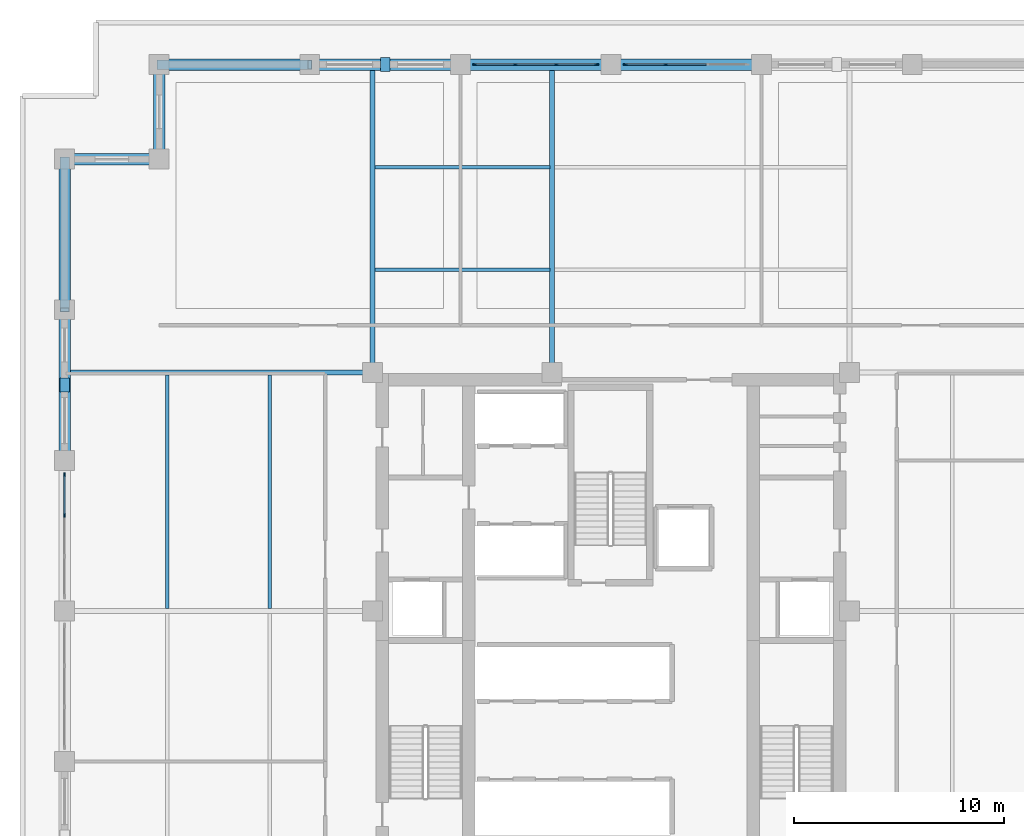
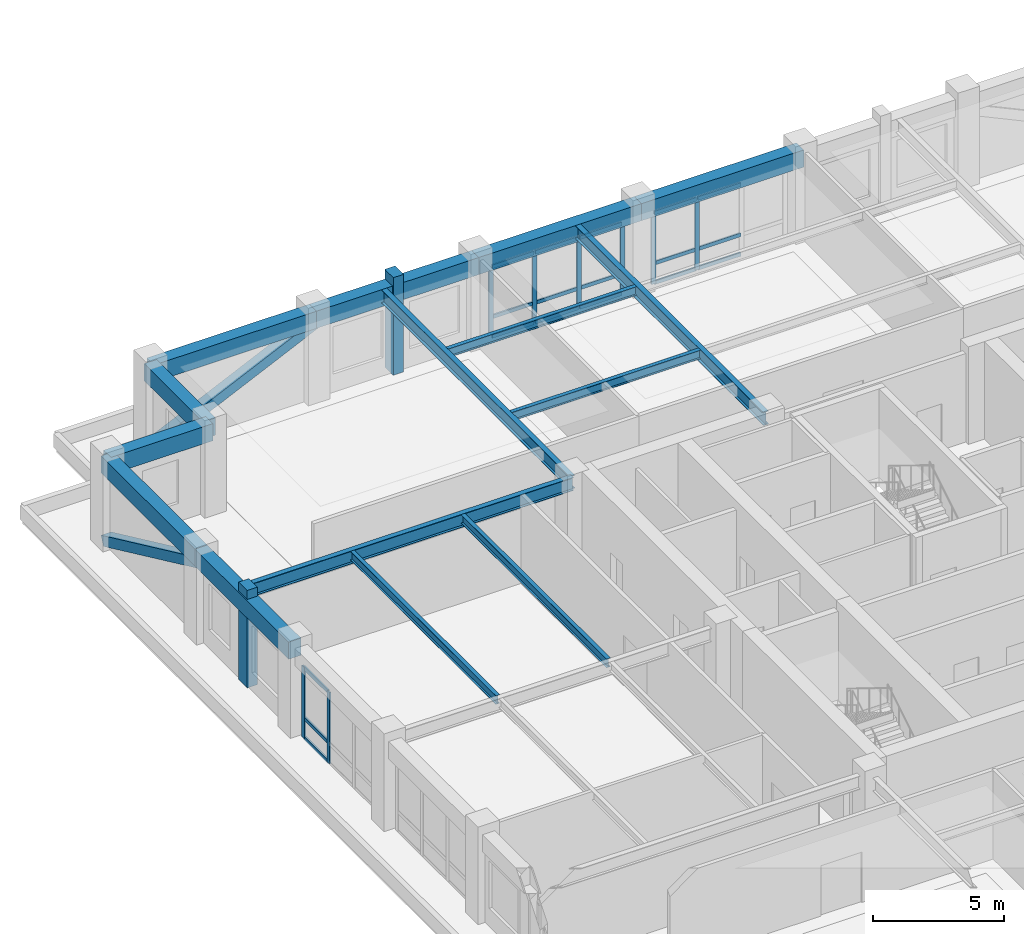
# One storey, part 5 of 16: 30 members, 15 beams, 3 elements without a shape of their own.
"""IFC4 building model written with IfcOpenShell, lengths in metres."""

from ifc_helpers import new_model, si_unit, direction, frame, origin, origin_2d, place, context, subcontext, project, spatial, rectangle, hollow_rectangle, i_section, extrude, material, layer, layer_set, material_profile, profile_set, type_object, element, aggregate, save


model = new_model("IFC4")

# Units and contexts
model_context = context("Model", 3, precision=1e-05, world=origin(), true_north=direction((0.0, 1.0)))
body_context = subcontext(model_context, "Body", "Model", "MODEL_VIEW")
ifc_project = project(units=[si_unit("LENGTHUNIT", "METRE"), si_unit("AREAUNIT", "SQUARE_METRE"), si_unit("VOLUMEUNIT", "CUBIC_METRE"), si_unit("PLANEANGLEUNIT", "RADIAN"), si_unit("MASSUNIT", "GRAM", prefix="KILO")], contexts=[model_context])

# Site, building, storey
site_placement = place(None, origin())
site = spatial("IfcSite", under=ifc_project, at=site_placement, CompositionType="ELEMENT")
building_placement = place(site_placement, origin())
building = spatial("IfcBuilding", under=site, at=building_placement, Name="Nhamokura Convention Tower", CompositionType="ELEMENT")
storey_placement = place(building_placement, frame((0.0, 0.0, 106.050048828125)))
storey = spatial("IfcBuildingStorey", under=building, at=storey_placement, Name="L25", CompositionType="ELEMENT", Elevation=106.050048828125)

# Members
ifc_material_1 = material(Name="Bronze-pigmented precast concrete C45/55", Category="concrete")
ifc_material_profile_1 = material_profile(ifc_material_1, rectangle(XDim=0.449951171875, YDim=0.64990234375, at=origin_2d()))
ifc_profile_set_1 = profile_set([ifc_material_profile_1], Name="Bronze-pigmented precast concrete C45/55")
member_type_1 = type_object("IfcMemberType", Name="BronzePilaster_650", PredefinedType="USERDEFINED", material=ifc_profile_set_1)
for number, where, z_axis, x_axis, name in (
    (1, (21.25, 58.0, 0.0), (0.0, 0.0, 1.0), (1.0, 0.0, 0.0), "L25 Engaged Frame Pilaster NORTH 1"),
    (2, (6.0, 42.75, 0.0), (0.0, 0.0, 1.0), (1.0, 0.0, 0.0), "L25 Engaged Frame Pilaster WEST 4"),
):
    element("IfcMember", number, at=place(storey_placement, frame(where, z_axis=z_axis, x_axis=x_axis)), inside=storey, type_object=member_type_1, Name=name, ObjectType="PILASTER_TRIM", PredefinedType="USERDEFINED", context=body_context, shape_type="SweptSolid", body=[
        extrude(rectangle(XDim=0.449951171875, YDim=0.64990234375, at=origin_2d()), origin(), (0.0, 0.0, 1.0), 4.550048828125),
    ])

# Curtain wall, members
ifc_material_2 = material(Name="Anodised bronze aluminium AA6063-T6", Category="aluminium")
ifc_layer = layer(ifc_material_2, 0.18994140625)
ifc_layer_set = layer_set([ifc_layer], Name="CWSystem_SkyLobby")
curtain_wall_type = type_object("IfcCurtainWallType", Name="CWSystem_SkyLobby", PredefinedType="NOTDEFINED", material=ifc_layer_set)
curtain_wall_1_placement = place(storey_placement, origin())
curtain_wall_1 = element("IfcCurtainWall", 3, at=curtain_wall_1_placement, inside=storey, type_object=curtain_wall_type, Name="L25 Curtain Wall ENV-L25-CW-N2", PredefinedType="NOTDEFINED")
ifc_material_3 = material(Name="Anodised bronze aluminium AA6063-T6", Category="aluminium")
ifc_material_profile_2 = material_profile(ifc_material_3, rectangle(XDim=0.074951171875, YDim=0.199951171875, at=origin_2d()))
ifc_profile_set_2 = profile_set([ifc_material_profile_2], Name="Anodised bronze aluminium AA6063-T6")
member_type_2 = type_object("IfcMemberType", Name="CWMullion_2", PredefinedType="MULLION", material=ifc_profile_set_2)
member_1_placement = place(storey_placement, frame((25.520751953125, 58.0, 0.0), z_axis=(0.0, 0.0, 1.0), x_axis=(0.0, 1.0, 0.0)))
member_1 = element("IfcMember", 4, at=member_1_placement, type_object=member_type_2, Name="CW-06 mullion 1", PredefinedType="MULLION", context=body_context, shape_type="SweptSolid", body=[
    extrude(rectangle(XDim=0.074951171875, YDim=0.199951171875, at=origin_2d()), origin(), (0.0, 0.0, 1.0), 3.329833984375),
])
member_2_placement = place(storey_placement, frame((27.43896484375, 58.0, 0.0), z_axis=(0.0, 0.0, 1.0), x_axis=(0.0, 1.0, 0.0)))
member_2 = element("IfcMember", 5, at=member_2_placement, type_object=member_type_2, Name="CW-06 mullion 2", PredefinedType="MULLION", context=body_context, shape_type="SweptSolid", body=[
    extrude(rectangle(XDim=0.074951171875, YDim=0.199951171875, at=origin_2d()), origin(), (0.0, 0.0, 1.0), 3.329833984375),
])
member_3_placement = place(storey_placement, frame((29.39453125, 58.0, 0.0), z_axis=(0.0, 0.0, 1.0), x_axis=(0.0, 1.0, 0.0)))
member_3 = element("IfcMember", 6, at=member_3_placement, type_object=member_type_2, Name="CW-06 mullion 3", PredefinedType="MULLION", context=body_context, shape_type="SweptSolid", body=[
    extrude(rectangle(XDim=0.074951171875, YDim=0.199951171875, at=origin_2d()), origin(), (0.0, 0.0, 1.0), 3.329833984375),
])
member_4_placement = place(storey_placement, frame((31.3125, 58.0, 0.0), z_axis=(0.0, 0.0, 1.0), x_axis=(0.0, 1.0, 0.0)))
member_4 = element("IfcMember", 7, at=member_4_placement, type_object=member_type_2, Name="CW-06 mullion 4", PredefinedType="MULLION", context=body_context, shape_type="SweptSolid", body=[
    extrude(rectangle(XDim=0.074951171875, YDim=0.199951171875, at=origin_2d()), origin(), (0.0, 0.0, 1.0), 3.329833984375),
])

curtain_wall_2_placement = place(storey_placement, origin())
curtain_wall_2 = element("IfcCurtainWall", 8, at=curtain_wall_2_placement, inside=storey, type_object=curtain_wall_type, Name="L25 Curtain Wall ENV-L25-CW-N3", PredefinedType="NOTDEFINED")
member_5_placement = place(storey_placement, frame((32.6875, 58.0, 0.0), z_axis=(0.0, 0.0, 1.0), x_axis=(0.0, 1.0, 0.0)))
member_5 = element("IfcMember", 9, at=member_5_placement, type_object=member_type_2, Name="CW-06 mullion 1", PredefinedType="MULLION", context=body_context, shape_type="SweptSolid", body=[
    extrude(rectangle(XDim=0.074951171875, YDim=0.199951171875, at=origin_2d()), origin(), (0.0, 0.0, 1.0), 3.329833984375),
])
member_6_placement = place(storey_placement, frame((34.60546875, 58.0, 0.0), z_axis=(0.0, 0.0, 1.0), x_axis=(0.0, 1.0, 0.0)))
member_6 = element("IfcMember", 10, at=member_6_placement, type_object=member_type_2, Name="CW-06 mullion 2", PredefinedType="MULLION", context=body_context, shape_type="SweptSolid", body=[
    extrude(rectangle(XDim=0.074951171875, YDim=0.199951171875, at=origin_2d()), origin(), (0.0, 0.0, 1.0), 3.329833984375),
])

curtain_wall_3_placement = place(storey_placement, origin())
curtain_wall_3 = element("IfcCurtainWall", 11, at=curtain_wall_3_placement, inside=storey, type_object=curtain_wall_type, Name="L25 Curtain Wall ENV-L25-CW-W3", PredefinedType="NOTDEFINED")
member_7_placement = place(storey_placement, frame((6.0, 36.56103515625, 0.0), z_axis=(0.0, 0.0, 1.0), x_axis=(-1.0, 0.0, 0.0)))
member_7 = element("IfcMember", 12, at=member_7_placement, type_object=member_type_2, Name="CW-06 mullion 3", PredefinedType="MULLION", context=body_context, shape_type="SweptSolid", body=[
    extrude(rectangle(XDim=0.074951171875, YDim=0.199951171875, at=origin_2d()), origin(), (0.0, 0.0, 1.0), 3.329833984375),
])
member_8_placement = place(storey_placement, frame((6.0, 38.479248046875, 0.0), z_axis=(0.0, 0.0, 1.0), x_axis=(-1.0, 0.0, 0.0)))
member_8 = element("IfcMember", 13, at=member_8_placement, type_object=member_type_2, Name="CW-06 mullion 4", PredefinedType="MULLION", context=body_context, shape_type="SweptSolid", body=[
    extrude(rectangle(XDim=0.074951171875, YDim=0.199951171875, at=origin_2d()), origin(), (0.0, 0.0, 1.0), 3.329833984375),
])

# Member
ifc_material_4 = material(Name="Anodised bronze aluminium AA6063-T6", Category="aluminium")
ifc_material_profile_3 = material_profile(ifc_material_4, rectangle(XDim=0.074951171875, YDim=0.169921875, at=origin_2d()))
ifc_profile_set_3 = profile_set([ifc_material_profile_3], Name="Anodised bronze aluminium AA6063-T6")
member_type_3 = type_object("IfcMemberType", Name="CWTransom_2", PredefinedType="USERDEFINED", material=ifc_profile_set_3)
member_9_placement = place(storey_placement, frame((25.558349609375, 58.0, 0.037353515625), z_axis=(1.0, 0.0, 0.0), x_axis=(0.0, 1.0, 0.0)))
member_9 = element("IfcMember", 14, at=member_9_placement, type_object=member_type_3, Name="CW-06 transom 1.1", ObjectType="TRANSOM", PredefinedType="USERDEFINED", context=body_context, shape_type="SweptSolid", body=[
    extrude(rectangle(XDim=0.074951171875, YDim=0.169921875, at=origin_2d()), origin(), (0.0, 0.0, 1.0), 1.843017578125),
])

member_10_placement = place(storey_placement, frame((25.558349609375, 58.0, 0.949951171875), z_axis=(1.0, 0.0, 0.0), x_axis=(0.0, 1.0, 0.0)))
member_10 = element("IfcMember", 15, at=member_10_placement, type_object=member_type_3, Name="CW-06 transom 1.2", ObjectType="TRANSOM", PredefinedType="USERDEFINED", context=body_context, shape_type="SweptSolid", body=[
    extrude(rectangle(XDim=0.074951171875, YDim=0.169921875, at=origin_2d()), origin(), (0.0, 0.0, 1.0), 1.843017578125),
])

member_11_placement = place(storey_placement, frame((25.558349609375, 58.0, 3.29248046875), z_axis=(1.0, 0.0, 0.0), x_axis=(0.0, 1.0, 0.0)))
member_11 = element("IfcMember", 16, at=member_11_placement, type_object=member_type_3, Name="CW-06 transom 1.3", ObjectType="TRANSOM", PredefinedType="USERDEFINED", context=body_context, shape_type="SweptSolid", body=[
    extrude(rectangle(XDim=0.074951171875, YDim=0.169921875, at=origin_2d()), origin(), (0.0, 0.0, 1.0), 1.843017578125),
])

member_12_placement = place(storey_placement, frame((27.476318359375, 58.0, 0.037353515625), z_axis=(1.0, 0.0, 0.0), x_axis=(0.0, 1.0, 0.0)))
member_12 = element("IfcMember", 17, at=member_12_placement, type_object=member_type_3, Name="CW-06 transom 2.1", ObjectType="TRANSOM", PredefinedType="USERDEFINED", context=body_context, shape_type="SweptSolid", body=[
    extrude(rectangle(XDim=0.074951171875, YDim=0.169921875, at=origin_2d()), origin(), (0.0, 0.0, 1.0), 1.880615234375),
])

member_13_placement = place(storey_placement, frame((27.476318359375, 58.0, 0.949951171875), z_axis=(1.0, 0.0, 0.0), x_axis=(0.0, 1.0, 0.0)))
member_13 = element("IfcMember", 18, at=member_13_placement, type_object=member_type_3, Name="CW-06 transom 2.2", ObjectType="TRANSOM", PredefinedType="USERDEFINED", context=body_context, shape_type="SweptSolid", body=[
    extrude(rectangle(XDim=0.074951171875, YDim=0.169921875, at=origin_2d()), origin(), (0.0, 0.0, 1.0), 1.880615234375),
])

member_14_placement = place(storey_placement, frame((27.476318359375, 58.0, 3.29248046875), z_axis=(1.0, 0.0, 0.0), x_axis=(0.0, 1.0, 0.0)))
member_14 = element("IfcMember", 19, at=member_14_placement, type_object=member_type_3, Name="CW-06 transom 2.3", ObjectType="TRANSOM", PredefinedType="USERDEFINED", context=body_context, shape_type="SweptSolid", body=[
    extrude(rectangle(XDim=0.074951171875, YDim=0.169921875, at=origin_2d()), origin(), (0.0, 0.0, 1.0), 1.880615234375),
])

member_15_placement = place(storey_placement, frame((29.431884765625, 58.0, 0.037353515625), z_axis=(1.0, 0.0, 0.0), x_axis=(0.0, 1.0, 0.0)))
member_15 = element("IfcMember", 20, at=member_15_placement, type_object=member_type_3, Name="CW-06 transom 3.1", ObjectType="TRANSOM", PredefinedType="USERDEFINED", context=body_context, shape_type="SweptSolid", body=[
    extrude(rectangle(XDim=0.074951171875, YDim=0.169921875, at=origin_2d()), origin(), (0.0, 0.0, 1.0), 1.843017578125),
])

member_16_placement = place(storey_placement, frame((29.431884765625, 58.0, 0.949951171875), z_axis=(1.0, 0.0, 0.0), x_axis=(0.0, 1.0, 0.0)))
member_16 = element("IfcMember", 21, at=member_16_placement, type_object=member_type_3, Name="CW-06 transom 3.2", ObjectType="TRANSOM", PredefinedType="USERDEFINED", context=body_context, shape_type="SweptSolid", body=[
    extrude(rectangle(XDim=0.074951171875, YDim=0.169921875, at=origin_2d()), origin(), (0.0, 0.0, 1.0), 1.843017578125),
])

member_17_placement = place(storey_placement, frame((29.431884765625, 58.0, 3.29248046875), z_axis=(1.0, 0.0, 0.0), x_axis=(0.0, 1.0, 0.0)))
member_17 = element("IfcMember", 22, at=member_17_placement, type_object=member_type_3, Name="CW-06 transom 3.3", ObjectType="TRANSOM", PredefinedType="USERDEFINED", context=body_context, shape_type="SweptSolid", body=[
    extrude(rectangle(XDim=0.074951171875, YDim=0.169921875, at=origin_2d()), origin(), (0.0, 0.0, 1.0), 1.843017578125),
])

aggregate(curtain_wall_1, [member_1, member_2, member_3, member_4, member_9, member_10, member_11, member_12, member_13, member_14, member_15, member_16, member_17])

member_18_placement = place(storey_placement, frame((32.72509765625, 58.0, 0.037353515625), z_axis=(1.0, 0.0, 0.0), x_axis=(0.0, 1.0, 0.0)))
member_18 = element("IfcMember", 23, at=member_18_placement, type_object=member_type_3, Name="CW-06 transom 1.1", ObjectType="TRANSOM", PredefinedType="USERDEFINED", context=body_context, shape_type="SweptSolid", body=[
    extrude(rectangle(XDim=0.074951171875, YDim=0.169921875, at=origin_2d()), origin(), (0.0, 0.0, 1.0), 1.843017578125),
])

member_19_placement = place(storey_placement, frame((32.72509765625, 58.0, 0.949951171875), z_axis=(1.0, 0.0, 0.0), x_axis=(0.0, 1.0, 0.0)))
member_19 = element("IfcMember", 24, at=member_19_placement, type_object=member_type_3, Name="CW-06 transom 1.2", ObjectType="TRANSOM", PredefinedType="USERDEFINED", context=body_context, shape_type="SweptSolid", body=[
    extrude(rectangle(XDim=0.074951171875, YDim=0.169921875, at=origin_2d()), origin(), (0.0, 0.0, 1.0), 1.843017578125),
])

member_20_placement = place(storey_placement, frame((32.72509765625, 58.0, 3.29248046875), z_axis=(1.0, 0.0, 0.0), x_axis=(0.0, 1.0, 0.0)))
member_20 = element("IfcMember", 25, at=member_20_placement, type_object=member_type_3, Name="CW-06 transom 1.3", ObjectType="TRANSOM", PredefinedType="USERDEFINED", context=body_context, shape_type="SweptSolid", body=[
    extrude(rectangle(XDim=0.074951171875, YDim=0.169921875, at=origin_2d()), origin(), (0.0, 0.0, 1.0), 1.843017578125),
])

member_21_placement = place(storey_placement, frame((34.64306640625, 58.0, 0.037353515625), z_axis=(1.0, 0.0, 0.0), x_axis=(0.0, 1.0, 0.0)))
member_21 = element("IfcMember", 26, at=member_21_placement, type_object=member_type_3, Name="CW-06 transom 2.1", ObjectType="TRANSOM", PredefinedType="USERDEFINED", context=body_context, shape_type="SweptSolid", body=[
    extrude(rectangle(XDim=0.074951171875, YDim=0.169921875, at=origin_2d()), origin(), (0.0, 0.0, 1.0), 1.880615234375),
])

member_22_placement = place(storey_placement, frame((34.64306640625, 58.0, 0.949951171875), z_axis=(1.0, 0.0, 0.0), x_axis=(0.0, 1.0, 0.0)))
member_22 = element("IfcMember", 27, at=member_22_placement, type_object=member_type_3, Name="CW-06 transom 2.2", ObjectType="TRANSOM", PredefinedType="USERDEFINED", context=body_context, shape_type="SweptSolid", body=[
    extrude(rectangle(XDim=0.074951171875, YDim=0.169921875, at=origin_2d()), origin(), (0.0, 0.0, 1.0), 1.880615234375),
])

member_23_placement = place(storey_placement, frame((34.64306640625, 58.0, 3.29248046875), z_axis=(1.0, 0.0, 0.0), x_axis=(0.0, 1.0, 0.0)))
member_23 = element("IfcMember", 28, at=member_23_placement, type_object=member_type_3, Name="CW-06 transom 2.3", ObjectType="TRANSOM", PredefinedType="USERDEFINED", context=body_context, shape_type="SweptSolid", body=[
    extrude(rectangle(XDim=0.074951171875, YDim=0.169921875, at=origin_2d()), origin(), (0.0, 0.0, 1.0), 1.880615234375),
])

aggregate(curtain_wall_2, [member_5, member_6, member_18, member_19, member_20, member_21, member_22, member_23])

member_24_placement = place(storey_placement, frame((6.0, 36.5986328125, 0.037353515625), z_axis=(0.0, 1.0, 0.0), x_axis=(-1.0, 0.0, 0.0)))
member_24 = element("IfcMember", 29, at=member_24_placement, type_object=member_type_3, Name="CW-06 transom 3.1", ObjectType="TRANSOM", PredefinedType="USERDEFINED", context=body_context, shape_type="SweptSolid", body=[
    extrude(rectangle(XDim=0.074951171875, YDim=0.169921875, at=origin_2d()), origin(), (0.0, 0.0, 1.0), 1.843017578125),
])

member_25_placement = place(storey_placement, frame((6.0, 36.5986328125, 0.949951171875), z_axis=(0.0, 1.0, 0.0), x_axis=(-1.0, 0.0, 0.0)))
member_25 = element("IfcMember", 30, at=member_25_placement, type_object=member_type_3, Name="CW-06 transom 3.2", ObjectType="TRANSOM", PredefinedType="USERDEFINED", context=body_context, shape_type="SweptSolid", body=[
    extrude(rectangle(XDim=0.074951171875, YDim=0.169921875, at=origin_2d()), origin(), (0.0, 0.0, 1.0), 1.843017578125),
])

member_26_placement = place(storey_placement, frame((6.0, 36.5986328125, 3.29248046875), z_axis=(0.0, 1.0, 0.0), x_axis=(-1.0, 0.0, 0.0)))
member_26 = element("IfcMember", 31, at=member_26_placement, type_object=member_type_3, Name="CW-06 transom 3.3", ObjectType="TRANSOM", PredefinedType="USERDEFINED", context=body_context, shape_type="SweptSolid", body=[
    extrude(rectangle(XDim=0.074951171875, YDim=0.169921875, at=origin_2d()), origin(), (0.0, 0.0, 1.0), 1.843017578125),
])

aggregate(curtain_wall_3, [member_7, member_8, member_24, member_25, member_26])

# Beams
ifc_material_5 = material(Name="Steel ASTM A992 Gr 50", Category="steel")
ifc_material_profile_4 = material_profile(ifc_material_5, i_section(OverallWidth=0.177001953125, OverallDepth=0.403076171875, WebThickness=0.007568359375, FlangeThickness=0.010986328125, at=origin_2d()))
ifc_profile_set_4 = profile_set([ifc_material_profile_4], Name="Steel ASTM A992 Gr 50")
beam_type_1 = type_object("IfcBeamType", Name="FloorJoist_W410X53", PredefinedType="JOIST", material=ifc_profile_set_4)
for number, where, z_axis, x_axis, name in (
    (32, (20.762939453125, 48.2333984375, 3.928466796875), (1.0, 0.0, 0.0), (0.0, 1.0, 0.0), "L25 Composite Floor Joist N1A"),
    (33, (20.762939453125, 53.11669921875, 3.928466796875), (1.0, 0.0, 0.0), (0.0, 1.0, 0.0), "L25 Composite Floor Joist N2A"),
):
    element("IfcBeam", number, at=place(storey_placement, frame(where, z_axis=z_axis, x_axis=x_axis)), inside=storey, type_object=beam_type_1, Name=name, PredefinedType="JOIST", context=body_context, shape_type="SweptSolid", body=[
        extrude(i_section(OverallWidth=0.177001953125, OverallDepth=0.403076171875, WebThickness=0.007568359375, FlangeThickness=0.010986328125, at=origin_2d()), origin(), (0.0, 0.0, 1.0), 8.323974609375),
    ])
for number, where, z_axis, x_axis, name in (
    (34, (10.88330078125, 32.113037109375, 3.928466796875), (0.0, 1.0, 0.0), (-1.0, 0.0, 0.0), "L25 Composite Floor Joist W1B"),
    (35, (15.7666015625, 32.113037109375, 3.928466796875), (0.0, 1.0, 0.0), (-1.0, 0.0, 0.0), "L25 Composite Floor Joist W2B"),
):
    element("IfcBeam", number, at=place(storey_placement, frame(where, z_axis=z_axis, x_axis=x_axis)), inside=storey, type_object=beam_type_1, Name=name, PredefinedType="JOIST", context=body_context, shape_type="SweptSolid", body=[
        extrude(i_section(OverallWidth=0.177001953125, OverallDepth=0.403076171875, WebThickness=0.007568359375, FlangeThickness=0.010986328125, at=origin_2d()), origin(), (0.0, 0.0, 1.0), 11.1240234375),
    ])
ifc_material_6 = material(Name="Steel ASTM A992 Gr 50", Category="steel")
ifc_material_profile_5 = material_profile(ifc_material_6, i_section(OverallWidth=0.22998046875, OverallDepth=0.616943359375, WebThickness=0.01318359375, FlangeThickness=0.022216796875, at=origin_2d()))
ifc_profile_set_5 = profile_set([ifc_material_profile_5], Name="Steel ASTM A992 Gr 50")
beam_type_2 = type_object("IfcBeamType", Name="PrimaryGirder_W610X140", PredefinedType="BEAM", material=ifc_profile_set_5)
for number, where, z_axis, x_axis, name in (
    (36, (20.64990234375, 43.35009765625, 3.821533203125), (0.0, 1.0, 0.0), (-1.0, 0.0, 0.0), "L25 Primary Floor Girder PG-N1"),
    (37, (29.199951171875, 43.35009765625, 3.821533203125), (0.0, 1.0, 0.0), (-1.0, 0.0, 0.0), "L25 Primary Floor Girder PG-N2"),
    (38, (6.0, 43.35009765625, 3.821533203125), (1.0, 0.0, 0.0), (0.0, 1.0, 0.0), "L25 Primary Floor Girder PG-W3"),
):
    element("IfcBeam", number, at=place(storey_placement, frame(where, z_axis=z_axis, x_axis=x_axis)), inside=storey, type_object=beam_type_2, Name=name, PredefinedType="BEAM", context=body_context, shape_type="SweptSolid", body=[
        extrude(i_section(OverallWidth=0.22998046875, OverallDepth=0.616943359375, WebThickness=0.01318359375, FlangeThickness=0.022216796875, at=origin_2d()), origin(), (0.0, 0.0, 1.0), 14.64990234375),
    ])

# Members
ifc_material_7 = material(Name="Steel ASTM A572 Gr 50", Category="steel")
ifc_material_profile_6 = material_profile(ifc_material_7, hollow_rectangle(XDim=0.449951171875, YDim=0.449951171875, WallThickness=0.02197265625, at=origin_2d()))
ifc_profile_set_6 = profile_set([ifc_material_profile_6], Name="Steel ASTM A572 Gr 50")
member_type_4 = type_object("IfcMemberType", Name="TubeBrace_HSS450", PredefinedType="BRACE", material=ifc_profile_set_6)
for number, where, z_axis, x_axis, name in (
    (39, (10.5, 58.0, 0.14990234375), (0.906880391441, 0.0, 0.421388129424), (0.0, 1.0, 0.0), "L25 Perimeter Tube Brace NORTH Bay 0"),
    (40, (6.0, 53.5, 0.14990234375), (0.0, -0.906880391441, 0.421388129424), (1.0, 0.0, 0.0), "L25 Perimeter Tube Brace WEST Bay 5"),
):
    element("IfcMember", number, at=place(storey_placement, frame(where, z_axis=z_axis, x_axis=x_axis)), inside=storey, type_object=member_type_4, Name=name, PredefinedType="BRACE", context=body_context, shape_type="SweptSolid", body=[
        extrude(hollow_rectangle(XDim=0.449951171875, YDim=0.449951171875, WallThickness=0.02197265625, at=origin_2d()), origin(), (0.0, 0.0, 1.0), 7.902587890625),
    ])

# Beams
ifc_material_8 = material(Name="Concrete C50/60", Category="concrete")
ifc_material_profile_7 = material_profile(ifc_material_8, rectangle(XDim=0.550048828125, YDim=0.800048828125, at=origin_2d()))
ifc_profile_set_7 = profile_set([ifc_material_profile_7], Name="Concrete C50/60")
beam_type_3 = type_object("IfcBeamType", Name="TubeSpandrel_800", PredefinedType="SPANDREL", material=ifc_profile_set_7)
beam_1_placement = place(storey_placement, frame((10.5, 58.0, 3.72998046875), z_axis=(1.0, 0.0, 0.0), x_axis=(0.0, 1.0, 0.0)))
element("IfcBeam", 41, at=beam_1_placement, inside=storey, type_object=beam_type_3, Name="L25 Perimeter Spandrel NORTH 1", PredefinedType="SPANDREL", context=body_context, shape_type="SweptSolid", body=[
    extrude(rectangle(XDim=0.550048828125, YDim=0.800048828125, at=origin_2d()), origin(), (0.0, 0.0, 1.0), 7.166748046875),
])
beam_2_placement = place(storey_placement, frame((17.666748046875, 58.0, 3.72998046875), z_axis=(1.0, 0.0, 0.0), x_axis=(0.0, 1.0, 0.0)))
element("IfcBeam", 42, at=beam_2_placement, inside=storey, type_object=beam_type_3, Name="L25 Perimeter Spandrel NORTH 2", PredefinedType="SPANDREL", context=body_context, shape_type="SweptSolid", body=[
    extrude(rectangle(XDim=0.550048828125, YDim=0.800048828125, at=origin_2d()), origin(), (0.0, 0.0, 1.0), 7.16650390625),
])
for number, where, z_axis, x_axis, name in (
    (43, (24.833251953125, 58.0, 3.72998046875), (1.0, 0.0, 0.0), (0.0, 1.0, 0.0), "L25 Perimeter Spandrel NORTH 3"),
    (44, (32.0, 58.0, 3.72998046875), (1.0, 0.0, 0.0), (0.0, 1.0, 0.0), "L25 Perimeter Spandrel NORTH 4"),
):
    element("IfcBeam", number, at=place(storey_placement, frame(where, z_axis=z_axis, x_axis=x_axis)), inside=storey, type_object=beam_type_3, Name=name, PredefinedType="SPANDREL", context=body_context, shape_type="SweptSolid", body=[
        extrude(rectangle(XDim=0.550048828125, YDim=0.800048828125, at=origin_2d()), origin(), (0.0, 0.0, 1.0), 7.166748046875),
    ])
beam_3_placement = place(storey_placement, frame((6.0, 39.166748046875, 3.72998046875), z_axis=(0.0, 1.0, 0.0), x_axis=(-1.0, 0.0, 0.0)))
element("IfcBeam", 45, at=beam_3_placement, inside=storey, type_object=beam_type_3, Name="L25 Perimeter Spandrel WEST 5", PredefinedType="SPANDREL", context=body_context, shape_type="SweptSolid", body=[
    extrude(rectangle(XDim=0.550048828125, YDim=0.800048828125, at=origin_2d()), origin(), (0.0, 0.0, 1.0), 7.16650390625),
])
beam_4_placement = place(storey_placement, frame((6.0, 46.333251953125, 3.72998046875), z_axis=(0.0, 1.0, 0.0), x_axis=(-1.0, 0.0, 0.0)))
element("IfcBeam", 46, at=beam_4_placement, inside=storey, type_object=beam_type_3, Name="L25 Perimeter Spandrel WEST 6", PredefinedType="SPANDREL", context=body_context, shape_type="SweptSolid", body=[
    extrude(rectangle(XDim=0.550048828125, YDim=0.800048828125, at=origin_2d()), origin(), (0.0, 0.0, 1.0), 7.166748046875),
])
for number, where, z_axis, x_axis, name in (
    (47, (10.5, 58.0, 3.72998046875), (0.0, -1.0, 0.0), (1.0, 0.0, 0.0), "L25 Notch Spandrel NW1"),
    (48, (10.5, 53.5, 3.72998046875), (-1.0, 0.0, 0.0), (0.0, -1.0, 0.0), "L25 Notch Spandrel NW2"),
):
    element("IfcBeam", number, at=place(storey_placement, frame(where, z_axis=z_axis, x_axis=x_axis)), inside=storey, type_object=beam_type_3, Name=name, PredefinedType="SPANDREL", context=body_context, shape_type="SweptSolid", body=[
        extrude(rectangle(XDim=0.550048828125, YDim=0.800048828125, at=origin_2d()), origin(), (0.0, 0.0, 1.0), 4.5),
    ])

save(model, "model.ifc")
